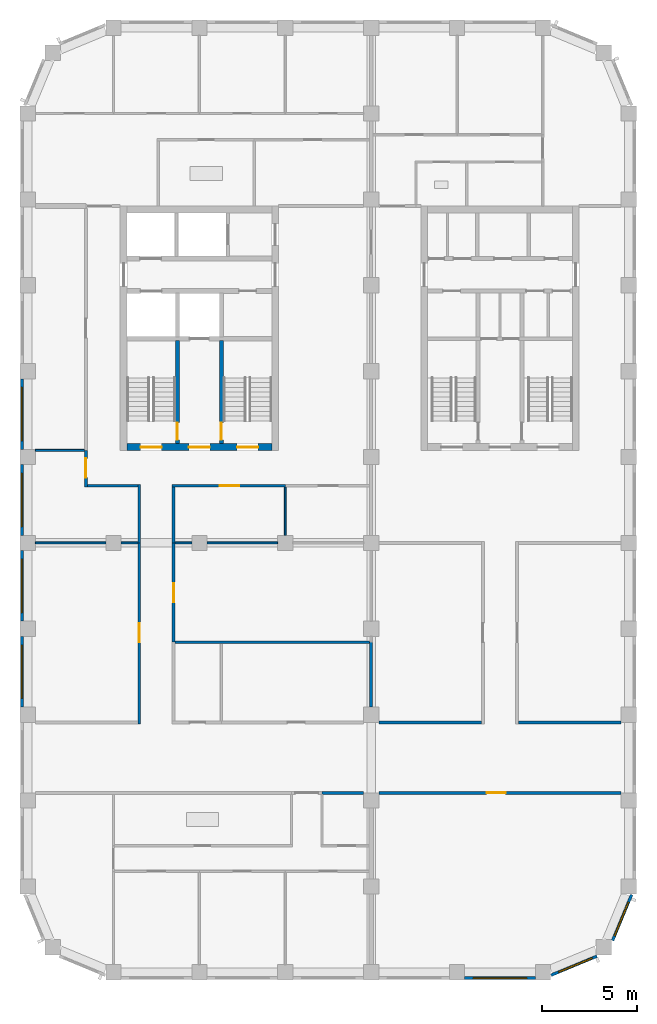
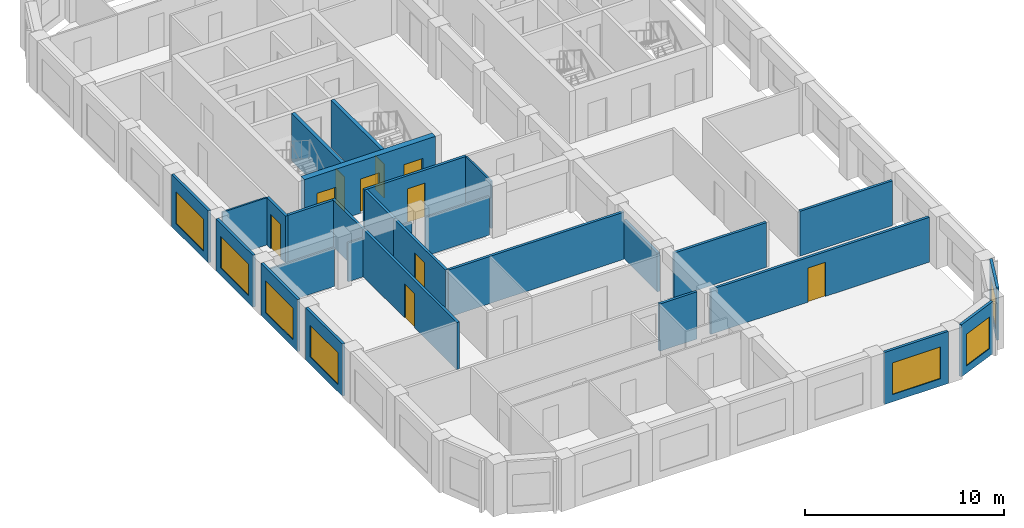
# One storey, part 3 of 9: 29 walls, 10 doors, 7 windows, 17 openings.
"""IFC4 building model written with IfcOpenShell, lengths in metres."""

from ifc_helpers import new_model, si_unit, direction, frame, frame_2d, origin, place, context, subcontext, project, spatial, rectangle, extrude, material, layer, layer_set, type_object, element, fill, save


model = new_model("IFC4")

# Units and contexts
model_context = context("Model", 3, precision=1e-05, world=origin(), true_north=direction((0.0, 1.0)))
body_context = subcontext(model_context, "Body", "Model", "MODEL_VIEW")
ifc_project = project(units=[si_unit("LENGTHUNIT", "METRE"), si_unit("AREAUNIT", "SQUARE_METRE"), si_unit("VOLUMEUNIT", "CUBIC_METRE"), si_unit("PLANEANGLEUNIT", "RADIAN"), si_unit("MASSUNIT", "GRAM", prefix="KILO")], contexts=[model_context])

# Site, building, storey
site_placement = place(None, origin())
site = spatial("IfcSite", under=ifc_project, at=site_placement, CompositionType="ELEMENT")
building_placement = place(site_placement, origin())
building = spatial("IfcBuilding", under=site, at=building_placement, Name="Girih Gate Residences", CompositionType="ELEMENT")
storey_placement = place(building_placement, frame((0.0, 0.0, 182.699951171875)))
storey = spatial("IfcBuildingStorey", under=building, at=storey_placement, Name="L50", CompositionType="ELEMENT", Elevation=182.699951171875)

# Wall
ifc_material_1 = material(Name="Gypsum board on steel studs", Category="steel")
ifc_layer_1 = layer(ifc_material_1, 0.14990234375)
ifc_layer_set_1 = layer_set([ifc_layer_1], Name="Compartment wall 150 mm")
wall_type_1 = type_object("IfcWallType", Name="Compartment wall 150 mm", PredefinedType="PARTITIONING", material=ifc_layer_set_1)
wall_1_placement = place(storey_placement, frame((15.425048828125, 9.39990234375, 0.0), z_axis=(0.0, 0.0, 1.0), x_axis=(1.0, 0.0, 0.0)))
element("IfcWall", 1, at=wall_1_placement, inside=storey, type_object=wall_type_1, Name="L50 partition", PredefinedType="PARTITIONING", context=body_context, shape_type="SweptSolid", body=[
    extrude(rectangle(XDim=2.175048828125, YDim=0.14990234375, at=frame_2d((1.08740234375, 0.0))), origin(), (0.0, 0.0, 1.0), 2.900146484375),
])

# Wall, opening, door
wall_2_placement = place(storey_placement, frame((7.64990234375, 22.5, 0.0), z_axis=(0.0, 0.0, 1.0), x_axis=(0.0, -1.0, 0.0)))
wall_2 = element("IfcWall", 2, at=wall_2_placement, inside=storey, type_object=wall_type_1, Name="L50 partition", PredefinedType="PARTITIONING", context=body_context, shape_type="SweptSolid", body=[
    extrude(rectangle(XDim=5.199951171875, YDim=0.14990234375, at=frame_2d((2.60009765625, 0.0))), origin(), (0.0, 0.0, 1.0), 2.900146484375),
])
opening_1_placement = place(wall_2_placement, frame((2.10009765625, 0.0, 0.0)))
opening_1 = element("IfcOpeningElement", 3, at=opening_1_placement, cuts=wall_2, Name="Opening A50-021", PredefinedType="OPENING", context=body_context, shape_type="SweptSolid", body=[
    extrude(rectangle(XDim=1.0, YDim=2.10009765625, at=frame_2d((0.5, 1.050048828125))), frame((0.0, 0.0849609375, 0.0), z_axis=(0.0, -1.0, 0.0), x_axis=(1.0, 0.0, 0.0)), (0.0, 0.0, 1.0), 0.169921875),
])
ifc_material_2 = material(Name="Timber, fire-rated core", Category="wood")
door_type_1 = type_object("IfcDoorType", Name="Amenity room door 1000x2100 FD30S", OperationType="NOTDEFINED", PredefinedType="DOOR", material=ifc_material_2)
door_1_placement = place(opening_1_placement, origin())
door_1 = element("IfcDoor", 4, at=door_1_placement, inside=storey, type_object=door_type_1, Name="Door A50-021", OperationType="SINGLE_SWING_RIGHT", OverallHeight=2.10009765625, OverallWidth=1.0, PredefinedType="DOOR", context=body_context, shape_type="SweptSolid", body=[
    extrude(rectangle(XDim=1.0, YDim=2.10009765625, at=frame_2d((0.5, 1.050048828125))), frame((0.0, 0.02490234375, 0.0), z_axis=(0.0, -1.0, 0.0), x_axis=(1.0, 0.0, 0.0)), (0.0, 0.0, 1.0), 0.050048828125),
])
fill(opening_1, door_1)

# Wall
wall_3_placement = place(storey_placement, frame((7.72509765625, 17.300048828125, 0.0), z_axis=(0.0, 0.0, 1.0), x_axis=(1.0, 0.0, 0.0)))
element("IfcWall", 5, at=wall_3_placement, inside=storey, type_object=wall_type_1, Name="L50 partition", PredefinedType="PARTITIONING", context=body_context, shape_type="SweptSolid", body=[
    extrude(rectangle(XDim=10.199951171875, YDim=0.14990234375, at=frame_2d((5.10009765625, 0.0))), origin(), (0.0, 0.0, 1.0), 2.900146484375),
])

# Wall, opening, door
wall_4_placement = place(storey_placement, frame((31.10009765625, 9.39990234375, 0.0), z_axis=(0.0, 0.0, 1.0), x_axis=(-1.0, 0.0, 0.0)))
wall_4 = element("IfcWall", 6, at=wall_4_placement, inside=storey, type_object=wall_type_1, Name="L50 partition", PredefinedType="PARTITIONING", context=body_context, shape_type="SweptSolid", body=[
    extrude(rectangle(XDim=12.7001953125, YDim=0.14990234375, at=frame_2d((6.35009765625, 0.0))), origin(), (0.0, 0.0, 1.0), 2.75),
])
opening_2_placement = place(wall_4_placement, frame((6.050048828125, 0.0, 0.0)))
opening_2 = element("IfcOpeningElement", 7, at=opening_2_placement, cuts=wall_4, Name="Opening A50-023", PredefinedType="OPENING", context=body_context, shape_type="SweptSolid", body=[
    extrude(rectangle(XDim=1.0, YDim=2.10009765625, at=frame_2d((0.5, 1.050048828125))), frame((0.0, 0.0849609375, 0.0), z_axis=(0.0, -1.0, 0.0), x_axis=(1.0, 0.0, 0.0)), (0.0, 0.0, 1.0), 0.169921875),
])
door_2_placement = place(opening_2_placement, origin())
door_2 = element("IfcDoor", 8, at=door_2_placement, inside=storey, type_object=door_type_1, Name="Door A50-023", OperationType="SINGLE_SWING_RIGHT", OverallHeight=2.10009765625, OverallWidth=1.0, PredefinedType="DOOR", context=body_context, shape_type="SweptSolid", body=[
    extrude(rectangle(XDim=1.0, YDim=2.10009765625, at=frame_2d((0.5, 1.050048828125))), frame((0.0, 0.02490234375, 0.0), z_axis=(0.0, -1.0, 0.0), x_axis=(1.0, 0.0, 0.0)), (0.0, 0.0, 1.0), 0.050048828125),
])
fill(opening_2, door_2)

# Walls
for number, where, z_axis, x_axis, name in (
    (9, (18.39990234375, 13.10009765625, 0.0), (0.0, 0.0, 1.0), (1.0, 0.0, 0.0), "L50 partition"),
    (10, (25.72509765625, 13.10009765625, 0.0), (0.0, 0.0, 1.0), (1.0, 0.0, 0.0), "L50 partition"),
):
    element("IfcWall", number, at=place(storey_placement, frame(where, z_axis=z_axis, x_axis=x_axis)), inside=storey, type_object=wall_type_1, Name=name, PredefinedType="PARTITIONING", context=body_context, shape_type="SweptSolid", body=[
        extrude(rectangle(XDim=5.375, YDim=0.14990234375, at=frame_2d((2.6875, 0.0))), origin(), (0.0, 0.0, 1.0), 2.75),
    ])
wall_5_placement = place(storey_placement, frame((18.0, 13.89990234375, 0.0), z_axis=(0.0, 0.0, 1.0), x_axis=(0.0, 1.0, 0.0)))
element("IfcWall", 11, at=wall_5_placement, inside=storey, type_object=wall_type_1, Name="L50 partition", PredefinedType="PARTITIONING", context=body_context, shape_type="SweptSolid", body=[
    extrude(rectangle(XDim=3.400146484375, YDim=0.14990234375, at=frame_2d((1.7001953125, 0.0))), origin(), (0.0, 0.0, 1.0), 2.380126953125),
])
wall_6_placement = place(storey_placement, frame((5.85009765625, 22.5, 0.0), z_axis=(0.0, 0.0, 1.0), x_axis=(0.0, 1.0, 0.0)))
element("IfcWall", 12, at=wall_6_placement, inside=storey, type_object=wall_type_1, Name="L50 partition", PredefinedType="PARTITIONING", context=body_context, shape_type="SweptSolid", body=[
    extrude(rectangle(XDim=3.074951171875, YDim=0.14990234375, at=frame_2d((1.53759765625, 0.0))), origin(), (0.0, 0.0, 1.0), 2.900146484375),
])
wall_7_placement = place(storey_placement, frame((3.125, 25.5, 0.0), z_axis=(0.0, 0.0, 1.0), x_axis=(1.0, 0.0, 0.0)))
element("IfcWall", 13, at=wall_7_placement, inside=storey, type_object=wall_type_1, Name="L50 partition", PredefinedType="PARTITIONING", context=body_context, shape_type="SweptSolid", body=[
    extrude(rectangle(XDim=2.64990234375, YDim=0.14990234375, at=frame_2d((1.324951171875, 0.0))), origin(), (0.0, 0.0, 1.0), 2.900146484375),
])

# Wall, opening, door
wall_8_placement = place(storey_placement, frame((3.050048828125, 25.425048828125, 0.0), z_axis=(0.0, 0.0, 1.0), x_axis=(0.0, 1.0, 0.0)))
wall_8 = element("IfcWall", 14, at=wall_8_placement, inside=storey, type_object=wall_type_1, Name="L50 partition", PredefinedType="PARTITIONING", context=body_context, shape_type="SweptSolid", body=[
    extrude(rectangle(XDim=1.925048828125, YDim=0.14990234375, at=frame_2d((0.96240234375, 0.0))), origin(), (0.0, 0.0, 1.0), 2.900146484375),
])
opening_3_placement = place(wall_8_placement, frame((0.5, 0.0, 0.0)))
opening_3 = element("IfcOpeningElement", 15, at=opening_3_placement, cuts=wall_8, Name="Opening A50-028", PredefinedType="OPENING", context=body_context, shape_type="SweptSolid", body=[
    extrude(rectangle(XDim=1.0, YDim=2.10009765625, at=frame_2d((0.5, 1.050048828125))), frame((0.0, 0.0849609375, 0.0), z_axis=(0.0, -1.0, 0.0), x_axis=(1.0, 0.0, 0.0)), (0.0, 0.0, 1.0), 0.169921875),
])
door_3_placement = place(opening_3_placement, origin())
door_3 = element("IfcDoor", 16, at=door_3_placement, inside=storey, type_object=door_type_1, Name="Door A50-028", OperationType="SINGLE_SWING_RIGHT", OverallHeight=2.10009765625, OverallWidth=1.0, PredefinedType="DOOR", context=body_context, shape_type="SweptSolid", body=[
    extrude(rectangle(XDim=1.0, YDim=2.10009765625, at=frame_2d((0.5, 1.050048828125))), frame((0.0, 0.02490234375, 0.0), z_axis=(0.0, -1.0, 0.0), x_axis=(1.0, 0.0, 0.0)), (0.0, 0.0, 1.0), 0.050048828125),
])
fill(opening_3, door_3)

wall_9_placement = place(storey_placement, frame((13.5, 25.5, 0.0), z_axis=(0.0, 0.0, 1.0), x_axis=(-1.0, 0.0, 0.0)))
wall_9 = element("IfcWall", 17, at=wall_9_placement, inside=storey, type_object=wall_type_1, Name="L50 partition", PredefinedType="PARTITIONING", context=body_context, shape_type="SweptSolid", body=[
    extrude(rectangle(XDim=5.925048828125, YDim=0.14990234375, at=frame_2d((2.96240234375, 0.0))), origin(), (0.0, 0.0, 1.0), 2.900146484375),
])
opening_4_placement = place(wall_9_placement, frame((2.425048828125, 0.0, 0.0)))
opening_4 = element("IfcOpeningElement", 18, at=opening_4_placement, cuts=wall_9, Name="Opening A50-029", PredefinedType="OPENING", context=body_context, shape_type="SweptSolid", body=[
    extrude(rectangle(XDim=1.0, YDim=2.10009765625, at=frame_2d((0.5, 1.050048828125))), frame((0.0, 0.0849609375, 0.0), z_axis=(0.0, -1.0, 0.0), x_axis=(1.0, 0.0, 0.0)), (0.0, 0.0, 1.0), 0.169921875),
])
door_4_placement = place(opening_4_placement, origin())
door_4 = element("IfcDoor", 19, at=door_4_placement, inside=storey, type_object=door_type_1, Name="Door A50-029", OperationType="SINGLE_SWING_LEFT", OverallHeight=2.10009765625, OverallWidth=1.0, PredefinedType="DOOR", context=body_context, shape_type="SweptSolid", body=[
    extrude(rectangle(XDim=1.0, YDim=2.10009765625, at=frame_2d((0.5, 1.050048828125))), frame((0.0, 0.02490234375, 0.0), z_axis=(0.0, -1.0, 0.0), x_axis=(1.0, 0.0, 0.0)), (0.0, 0.0, 1.0), 0.050048828125),
])
fill(opening_4, door_4)

# Wall
wall_10_placement = place(storey_placement, frame((7.64990234375, 22.5, 0.0), z_axis=(0.0, 0.0, 1.0), x_axis=(0.0, 1.0, 0.0)))
element("IfcWall", 20, at=wall_10_placement, inside=storey, type_object=wall_type_1, Name="L50 partition", PredefinedType="PARTITIONING", context=body_context, shape_type="SweptSolid", body=[
    extrude(rectangle(XDim=2.925048828125, YDim=0.14990234375, at=frame_2d((1.46240234375, 0.0))), origin(), (0.0, 0.0, 1.0), 2.900146484375),
])

# Wall, opening, door
wall_11_placement = place(storey_placement, frame((5.85009765625, 13.02490234375, 0.0), z_axis=(0.0, 0.0, 1.0), x_axis=(0.0, 1.0, 0.0)))
wall_11 = element("IfcWall", 21, at=wall_11_placement, inside=storey, type_object=wall_type_1, Name="L50 partition", PredefinedType="PARTITIONING", context=body_context, shape_type="SweptSolid", body=[
    extrude(rectangle(XDim=9.47509765625, YDim=0.14990234375, at=frame_2d((4.737548828125, 0.0))), origin(), (0.0, 0.0, 1.0), 2.900146484375),
])
opening_5_placement = place(wall_11_placement, frame((4.27490234375, 0.0, 0.0)))
opening_5 = element("IfcOpeningElement", 22, at=opening_5_placement, cuts=wall_11, Name="Opening A50-032", PredefinedType="OPENING", context=body_context, shape_type="SweptSolid", body=[
    extrude(rectangle(XDim=1.0, YDim=2.10009765625, at=frame_2d((0.5, 1.050048828125))), frame((0.0, 0.0849609375, 0.0), z_axis=(0.0, -1.0, 0.0), x_axis=(1.0, 0.0, 0.0)), (0.0, 0.0, 1.0), 0.169921875),
])
door_5_placement = place(opening_5_placement, origin())
door_5 = element("IfcDoor", 23, at=door_5_placement, inside=storey, type_object=door_type_1, Name="Door A50-032", OperationType="SINGLE_SWING_RIGHT", OverallHeight=2.10009765625, OverallWidth=1.0, PredefinedType="DOOR", context=body_context, shape_type="SweptSolid", body=[
    extrude(rectangle(XDim=1.0, YDim=2.10009765625, at=frame_2d((0.5, 1.050048828125))), frame((0.0, 0.02490234375, 0.0), z_axis=(0.0, -1.0, 0.0), x_axis=(1.0, 0.0, 0.0)), (0.0, 0.0, 1.0), 0.050048828125),
])
fill(opening_5, door_5)

# Wall, openings, doors
ifc_material_3 = material(Name="Concrete C60/75", Category="concrete")
ifc_layer_2 = layer(ifc_material_3, 0.35009765625)
ifc_layer_set_2 = layer_set([ifc_layer_2], Name="Core wall RC 350 Concrete C60/75")
wall_type_2 = type_object("IfcWallType", Name="Core wall RC 350 Concrete C60/75", PredefinedType="SOLIDWALL", material=ifc_layer_set_2)
wall_12_placement = place(storey_placement, frame((5.199951171875, 27.52490234375, 0.0), z_axis=(0.0, 0.0, 1.0), x_axis=(1.0, 0.0, 0.0)))
wall_12 = element("IfcWall", 24, at=wall_12_placement, inside=storey, type_object=wall_type_2, Name="Core wall W-S L50", PredefinedType="SOLIDWALL", context=body_context, shape_type="SweptSolid", body=[
    extrude(rectangle(XDim=7.60009765625, YDim=0.35009765625, at=frame_2d((3.800048828125, 0.0))), origin(), (0.0, 0.0, 1.0), 3.199951171875),
])
opening_6_placement = place(wall_12_placement, frame((0.72509765625, 0.0, 0.0)))
opening_6 = element("IfcOpeningElement", 25, at=opening_6_placement, cuts=wall_12, Name="Opening D-L50-W-008", PredefinedType="OPENING", context=body_context, shape_type="SweptSolid", body=[
    extrude(rectangle(XDim=1.10009765625, YDim=2.10009765625, at=frame_2d((0.550048828125, 1.050048828125))), frame((0.0, 0.18505859375, 0.0), z_axis=(0.0, -1.0, 0.0), x_axis=(1.0, 0.0, 0.0)), (0.0, 0.0, 1.0), 0.3701171875),
])
opening_7_placement = place(wall_12_placement, frame((3.25, 0.0, 0.0)))
opening_7 = element("IfcOpeningElement", 26, at=opening_7_placement, cuts=wall_12, Name="Opening D-L50-W-009", PredefinedType="OPENING", context=body_context, shape_type="SweptSolid", body=[
    extrude(rectangle(XDim=1.10009765625, YDim=2.10009765625, at=frame_2d((0.550048828125, 1.050048828125))), frame((0.0, 0.18505859375, 0.0), z_axis=(0.0, -1.0, 0.0), x_axis=(1.0, 0.0, 0.0)), (0.0, 0.0, 1.0), 0.3701171875),
])
opening_8_placement = place(wall_12_placement, frame((5.77490234375, 0.0, 0.0)))
opening_8 = element("IfcOpeningElement", 27, at=opening_8_placement, cuts=wall_12, Name="Opening D-L50-W-010", PredefinedType="OPENING", context=body_context, shape_type="SweptSolid", body=[
    extrude(rectangle(XDim=1.10009765625, YDim=2.10009765625, at=frame_2d((0.550048828125, 1.050048828125))), frame((0.0, 0.18505859375, 0.0), z_axis=(0.0, -1.0, 0.0), x_axis=(1.0, 0.0, 0.0)), (0.0, 0.0, 1.0), 0.3701171875),
])
ifc_material_4 = material(Name="Painted steel, fire-resisting", Category="steel")
door_type_2 = type_object("IfcDoorType", Name="Fire door 1100x2100", OperationType="SINGLE_SWING_LEFT", PredefinedType="DOOR", material=ifc_material_4)
door_6_placement = place(opening_6_placement, origin())
door_6 = element("IfcDoor", 28, at=door_6_placement, inside=storey, type_object=door_type_2, Name="L50 W core door sta-out", OperationType="SINGLE_SWING_LEFT", OverallHeight=2.10009765625, OverallWidth=1.10009765625, PredefinedType="DOOR", context=body_context, shape_type="SweptSolid", body=[
    extrude(rectangle(XDim=1.10009765625, YDim=2.10009765625, at=frame_2d((0.550048828125, 1.050048828125))), frame((0.0, 0.02490234375, 0.0), z_axis=(0.0, -1.0, 0.0), x_axis=(1.0, 0.0, 0.0)), (0.0, 0.0, 1.0), 0.050048828125),
])
fill(opening_6, door_6)
door_7_placement = place(opening_7_placement, origin())
door_7 = element("IfcDoor", 29, at=door_7_placement, inside=storey, type_object=door_type_2, Name="L50 W core door ffl-out", OperationType="SINGLE_SWING_LEFT", OverallHeight=2.10009765625, OverallWidth=1.10009765625, PredefinedType="DOOR", context=body_context, shape_type="SweptSolid", body=[
    extrude(rectangle(XDim=1.10009765625, YDim=2.10009765625, at=frame_2d((0.550048828125, 1.050048828125))), frame((0.0, 0.02490234375, 0.0), z_axis=(0.0, -1.0, 0.0), x_axis=(1.0, 0.0, 0.0)), (0.0, 0.0, 1.0), 0.050048828125),
])
fill(opening_7, door_7)
door_8_placement = place(opening_8_placement, origin())
door_8 = element("IfcDoor", 30, at=door_8_placement, inside=storey, type_object=door_type_2, Name="L50 W core door stb-out", OperationType="SINGLE_SWING_LEFT", OverallHeight=2.10009765625, OverallWidth=1.10009765625, PredefinedType="DOOR", context=body_context, shape_type="SweptSolid", body=[
    extrude(rectangle(XDim=1.10009765625, YDim=2.10009765625, at=frame_2d((0.550048828125, 1.050048828125))), frame((0.0, 0.02490234375, 0.0), z_axis=(0.0, -1.0, 0.0), x_axis=(1.0, 0.0, 0.0)), (0.0, 0.0, 1.0), 0.050048828125),
])
fill(opening_8, door_8)

# Walls
ifc_layer_3 = layer(ifc_material_1, 0.10009765625)
ifc_layer_set_3 = layer_set([ifc_layer_3], Name="Partition 100 mm")
wall_type_3 = type_object("IfcWallType", Name="Partition 100 mm", PredefinedType="PARTITIONING", material=ifc_layer_set_3)
wall_13_placement = place(storey_placement, frame((7.72509765625, 22.5, 0.0), z_axis=(0.0, 0.0, 1.0), x_axis=(1.0, 0.0, 0.0)))
element("IfcWall", 31, at=wall_13_placement, inside=storey, type_object=wall_type_3, Name="L50 partition", PredefinedType="PARTITIONING", context=body_context, shape_type="SweptSolid", body=[
    extrude(rectangle(XDim=0.875, YDim=0.10009765625, at=frame_2d((0.4375, 0.0))), origin(), (0.0, 0.0, 1.0), 2.380126953125),
])
wall_14_placement = place(storey_placement, frame((9.39990234375, 22.5, 0.0), z_axis=(0.0, 0.0, 1.0), x_axis=(1.0, 0.0, 0.0)))
element("IfcWall", 32, at=wall_14_placement, inside=storey, type_object=wall_type_3, Name="L50 partition", PredefinedType="PARTITIONING", context=body_context, shape_type="SweptSolid", body=[
    extrude(rectangle(XDim=3.7001953125, YDim=0.10009765625, at=frame_2d((1.85009765625, 0.0))), origin(), (0.0, 0.0, 1.0), 2.380126953125),
])
wall_15_placement = place(storey_placement, frame((0.39990234375, 27.35009765625, 0.0), z_axis=(0.0, 0.0, 1.0), x_axis=(1.0, 0.0, 0.0)))
element("IfcWall", 33, at=wall_15_placement, inside=storey, type_object=wall_type_3, Name="L50 partition", PredefinedType="PARTITIONING", context=body_context, shape_type="SweptSolid", body=[
    extrude(rectangle(XDim=2.5751953125, YDim=0.10009765625, at=frame_2d((1.28759765625, 0.0))), origin(), (0.0, 0.0, 1.0), 2.900146484375),
])
wall_16_placement = place(storey_placement, frame((4.89990234375, 22.5, 0.0), z_axis=(0.0, 0.0, 1.0), x_axis=(1.0, 0.0, 0.0)))
element("IfcWall", 34, at=wall_16_placement, inside=storey, type_object=wall_type_3, Name="L50 partition", PredefinedType="PARTITIONING", context=body_context, shape_type="SweptSolid", body=[
    extrude(rectangle(XDim=0.875, YDim=0.10009765625, at=frame_2d((0.4375, 0.0))), origin(), (0.0, 0.0, 1.0), 2.380126953125),
])
wall_17_placement = place(storey_placement, frame((0.39990234375, 22.5, 0.0), z_axis=(0.0, 0.0, 1.0), x_axis=(1.0, 0.0, 0.0)))
element("IfcWall", 35, at=wall_17_placement, inside=storey, type_object=wall_type_3, Name="L50 partition", PredefinedType="PARTITIONING", context=body_context, shape_type="SweptSolid", body=[
    extrude(rectangle(XDim=3.7001953125, YDim=0.10009765625, at=frame_2d((1.85009765625, 0.0))), origin(), (0.0, 0.0, 1.0), 2.380126953125),
])
wall_18_placement = place(storey_placement, frame((13.5, 22.89990234375, 0.0), z_axis=(0.0, 0.0, 1.0), x_axis=(0.0, 1.0, 0.0)))
element("IfcWall", 36, at=wall_18_placement, inside=storey, type_object=wall_type_3, Name="L50 partition", PredefinedType="PARTITIONING", context=body_context, shape_type="SweptSolid", body=[
    extrude(rectangle(XDim=2.525146484375, YDim=0.10009765625, at=frame_2d((1.2626953125, 0.0))), origin(), (0.0, 0.0, 1.0), 2.900146484375),
])

# Wall, opening, window
ifc_material_5 = material(Name="Precast concrete C50/60", Category="concrete")
ifc_layer_4 = layer(ifc_material_5, 0.050048828125, Name="Outer leaf")
ifc_material_6 = material(Name="Rigid PIR insulation")
ifc_layer_5 = layer(ifc_material_6, 0.06005859375, Name="Insulation")
ifc_material_7 = material(Name="Precast concrete C40/50", Category="concrete")
ifc_layer_6 = layer(ifc_material_7, 0.0400390625, Name="Inner leaf")
ifc_layer_set_4 = layer_set([ifc_layer_4, ifc_layer_5, ifc_layer_6], Name="Precast concrete C50/60 external wall 150")
wall_type_4 = type_object("IfcWallType", Name="Precast concrete C50/60 external wall 150", PredefinedType="SOLIDWALL", material=ifc_layer_set_4)
wall_19_placement = place(storey_placement, frame((29.8330078125, 0.8486328125, 0.0), z_axis=(0.0, 0.0, 1.0), x_axis=(-0.923885342263, -0.382669406082, 0.0)))
wall_19 = element("IfcWall", 37, at=wall_19_placement, inside=storey, type_object=wall_type_4, Name="External wall SE0270_0000.0", PredefinedType="SOLIDWALL", context=body_context, shape_type="SweptSolid", body=[
    extrude(rectangle(XDim=2.602294921875, YDim=0.14990234375, at=frame_2d((1.30126953125, 0.0))), origin(), (0.0, 0.0, 1.0), 3.199951171875),
])
opening_9_placement = place(wall_19_placement, frame((0.27001953125, 0.0, 0.449951171875)))
opening_9 = element("IfcOpeningElement", 38, at=opening_9_placement, cuts=wall_19, Name="Opening W-2G", PredefinedType="OPENING", context=body_context, shape_type="SweptSolid", body=[
    extrude(rectangle(XDim=1.89990234375, YDim=1.949951171875, at=frame_2d((0.949951171875, 0.97509765625))), frame((0.0, 0.0849609375, 0.0), z_axis=(0.0, -1.0, 0.0), x_axis=(1.0, 0.0, 0.0)), (0.0, 0.0, 1.0), 0.169921875),
])
ifc_material_8 = material(Name="Double glazing in aluminium frame", Category="aluminium")
window_type_1 = type_object("IfcWindowType", Name="Window W-2G 1900x1950", PartitioningType="SINGLE_PANEL", PredefinedType="WINDOW", material=ifc_material_8)
window_1_placement = place(opening_9_placement, origin())
window_1 = element("IfcWindow", 39, at=window_1_placement, inside=storey, type_object=window_type_1, Name="Window W-2G SE0270_0000.0", OverallHeight=1.949951171875, OverallWidth=1.89990234375, PartitioningType="SINGLE_PANEL", PredefinedType="WINDOW", context=body_context, shape_type="SweptSolid", body=[
    extrude(rectangle(XDim=1.89990234375, YDim=1.949951171875, at=frame_2d((0.949951171875, 0.97509765625))), frame((0.0, 0.030029296875, 0.0), z_axis=(0.0, -1.0, 0.0), x_axis=(1.0, 0.0, 0.0)), (0.0, 0.0, 1.0), 0.06005859375),
])
fill(opening_9, window_1)

wall_20_placement = place(storey_placement, frame((31.647216796875, 4.0712890625, 0.0), z_axis=(0.0, 0.0, 1.0), x_axis=(-0.382669406082, -0.923885342263, 0.0)))
wall_20 = element("IfcWall", 40, at=wall_20_placement, inside=storey, type_object=wall_type_4, Name="External wall SE0302_0013.0", PredefinedType="SOLIDWALL", context=body_context, shape_type="SweptSolid", body=[
    extrude(rectangle(XDim=2.602294921875, YDim=0.14990234375, at=frame_2d((1.30126953125, 0.0))), origin(), (0.0, 0.0, 1.0), 3.199951171875),
])
opening_10_placement = place(wall_20_placement, frame((0.432373046875, 0.0, 0.449951171875)))
opening_10 = element("IfcOpeningElement", 41, at=opening_10_placement, cuts=wall_20, Name="Opening W-2G", PredefinedType="OPENING", context=body_context, shape_type="SweptSolid", body=[
    extrude(rectangle(XDim=1.89990234375, YDim=1.949951171875, at=frame_2d((0.949951171875, 0.97509765625))), frame((0.0, 0.0849609375, 0.0), z_axis=(0.0, -1.0, 0.0), x_axis=(1.0, 0.0, 0.0)), (0.0, 0.0, 1.0), 0.169921875),
])
window_2_placement = place(opening_10_placement, origin())
window_2 = element("IfcWindow", 42, at=window_2_placement, inside=storey, type_object=window_type_1, Name="Window W-2G SE0302_0013.0", OverallHeight=1.949951171875, OverallWidth=1.89990234375, PartitioningType="SINGLE_PANEL", PredefinedType="WINDOW", context=body_context, shape_type="SweptSolid", body=[
    extrude(rectangle(XDim=1.89990234375, YDim=1.949951171875, at=frame_2d((0.949951171875, 0.97509765625))), frame((0.0, 0.030029296875, 0.0), z_axis=(0.0, -1.0, 0.0), x_axis=(1.0, 0.0, 0.0)), (0.0, 0.0, 1.0), 0.06005859375),
])
fill(opening_10, window_2)

wall_21_placement = place(storey_placement, frame((-0.300048828125, 27.39990234375, 0.0), z_axis=(0.0, 0.0, 1.0), x_axis=(0.0, 1.0, 0.0)))
wall_21 = element("IfcWall", 43, at=wall_21_placement, inside=storey, type_object=wall_type_4, Name="External wall W0000_0450.3", PredefinedType="SOLIDWALL", context=body_context, shape_type="SweptSolid", body=[
    extrude(rectangle(XDim=3.7001953125, YDim=0.14990234375, at=frame_2d((1.85009765625, 0.0))), origin(), (0.0, 0.0, 1.0), 3.199951171875),
])
opening_11_placement = place(wall_21_placement, frame((0.449951171875, 0.0, 0.449951171875)))
opening_11 = element("IfcOpeningElement", 44, at=opening_11_placement, cuts=wall_21, Name="Opening W-1B", PredefinedType="OPENING", context=body_context, shape_type="SweptSolid", body=[
    extrude(rectangle(XDim=2.800048828125, YDim=1.949951171875, at=frame_2d((1.39990234375, 0.97509765625))), frame((0.0, 0.0849609375, 0.0), z_axis=(0.0, -1.0, 0.0), x_axis=(1.0, 0.0, 0.0)), (0.0, 0.0, 1.0), 0.169921875),
])
window_type_2 = type_object("IfcWindowType", Name="Window W-1B 2800x1950", PartitioningType="SINGLE_PANEL", PredefinedType="WINDOW", material=ifc_material_8)
window_3_placement = place(opening_11_placement, origin())
window_3 = element("IfcWindow", 45, at=window_3_placement, inside=storey, type_object=window_type_2, Name="Window W-1B W0000_0450.3", OverallHeight=1.949951171875, OverallWidth=2.800048828125, PartitioningType="SINGLE_PANEL", PredefinedType="WINDOW", context=body_context, shape_type="SweptSolid", body=[
    extrude(rectangle(XDim=2.800048828125, YDim=1.949951171875, at=frame_2d((1.39990234375, 0.97509765625))), frame((0.0, 0.030029296875, 0.0), z_axis=(0.0, -1.0, 0.0), x_axis=(1.0, 0.0, 0.0)), (0.0, 0.0, 1.0), 0.06005859375),
])
fill(opening_11, window_3)

wall_22_placement = place(storey_placement, frame((-0.300048828125, 22.89990234375, 0.0), z_axis=(0.0, 0.0, 1.0), x_axis=(0.0, 1.0, 0.0)))
wall_22 = element("IfcWall", 46, at=wall_22_placement, inside=storey, type_object=wall_type_4, Name="External wall W0000_0450.4", PredefinedType="SOLIDWALL", context=body_context, shape_type="SweptSolid", body=[
    extrude(rectangle(XDim=3.7001953125, YDim=0.14990234375, at=frame_2d((1.85009765625, 0.0))), origin(), (0.0, 0.0, 1.0), 3.199951171875),
])
opening_12_placement = place(wall_22_placement, frame((0.449951171875, 0.0, 0.449951171875)))
opening_12 = element("IfcOpeningElement", 47, at=opening_12_placement, cuts=wall_22, Name="Opening W-1B", PredefinedType="OPENING", context=body_context, shape_type="SweptSolid", body=[
    extrude(rectangle(XDim=2.800048828125, YDim=1.949951171875, at=frame_2d((1.39990234375, 0.97509765625))), frame((0.0, 0.0849609375, 0.0), z_axis=(0.0, -1.0, 0.0), x_axis=(1.0, 0.0, 0.0)), (0.0, 0.0, 1.0), 0.169921875),
])
window_4_placement = place(opening_12_placement, origin())
window_4 = element("IfcWindow", 48, at=window_4_placement, inside=storey, type_object=window_type_2, Name="Window W-1B W0000_0450.4", OverallHeight=1.949951171875, OverallWidth=2.800048828125, PartitioningType="SINGLE_PANEL", PredefinedType="WINDOW", context=body_context, shape_type="SweptSolid", body=[
    extrude(rectangle(XDim=2.800048828125, YDim=1.949951171875, at=frame_2d((1.39990234375, 0.97509765625))), frame((0.0, 0.030029296875, 0.0), z_axis=(0.0, -1.0, 0.0), x_axis=(1.0, 0.0, 0.0)), (0.0, 0.0, 1.0), 0.06005859375),
])
fill(opening_12, window_4)

wall_23_placement = place(storey_placement, frame((-0.300048828125, 18.39990234375, 0.0), z_axis=(0.0, 0.0, 1.0), x_axis=(0.0, 1.0, 0.0)))
wall_23 = element("IfcWall", 49, at=wall_23_placement, inside=storey, type_object=wall_type_4, Name="External wall W0000_0450.5", PredefinedType="SOLIDWALL", context=body_context, shape_type="SweptSolid", body=[
    extrude(rectangle(XDim=3.7001953125, YDim=0.14990234375, at=frame_2d((1.85009765625, 0.0))), origin(), (0.0, 0.0, 1.0), 3.199951171875),
])
opening_13_placement = place(wall_23_placement, frame((0.449951171875, 0.0, 0.449951171875)))
opening_13 = element("IfcOpeningElement", 50, at=opening_13_placement, cuts=wall_23, Name="Opening W-1B", PredefinedType="OPENING", context=body_context, shape_type="SweptSolid", body=[
    extrude(rectangle(XDim=2.800048828125, YDim=1.949951171875, at=frame_2d((1.39990234375, 0.97509765625))), frame((0.0, 0.0849609375, 0.0), z_axis=(0.0, -1.0, 0.0), x_axis=(1.0, 0.0, 0.0)), (0.0, 0.0, 1.0), 0.169921875),
])
window_5_placement = place(opening_13_placement, origin())
window_5 = element("IfcWindow", 51, at=window_5_placement, inside=storey, type_object=window_type_2, Name="Window W-1B W0000_0450.5", OverallHeight=1.949951171875, OverallWidth=2.800048828125, PartitioningType="SINGLE_PANEL", PredefinedType="WINDOW", context=body_context, shape_type="SweptSolid", body=[
    extrude(rectangle(XDim=2.800048828125, YDim=1.949951171875, at=frame_2d((1.39990234375, 0.97509765625))), frame((0.0, 0.030029296875, 0.0), z_axis=(0.0, -1.0, 0.0), x_axis=(1.0, 0.0, 0.0)), (0.0, 0.0, 1.0), 0.06005859375),
])
fill(opening_13, window_5)

wall_24_placement = place(storey_placement, frame((-0.300048828125, 13.89990234375, 0.0), z_axis=(0.0, 0.0, 1.0), x_axis=(0.0, 1.0, 0.0)))
wall_24 = element("IfcWall", 52, at=wall_24_placement, inside=storey, type_object=wall_type_4, Name="External wall W0000_0450.6", PredefinedType="SOLIDWALL", context=body_context, shape_type="SweptSolid", body=[
    extrude(rectangle(XDim=3.7001953125, YDim=0.14990234375, at=frame_2d((1.85009765625, 0.0))), origin(), (0.0, 0.0, 1.0), 3.199951171875),
])
opening_14_placement = place(wall_24_placement, frame((0.449951171875, 0.0, 0.449951171875)))
opening_14 = element("IfcOpeningElement", 53, at=opening_14_placement, cuts=wall_24, Name="Opening W-1B", PredefinedType="OPENING", context=body_context, shape_type="SweptSolid", body=[
    extrude(rectangle(XDim=2.800048828125, YDim=1.949951171875, at=frame_2d((1.39990234375, 0.97509765625))), frame((0.0, 0.0849609375, 0.0), z_axis=(0.0, -1.0, 0.0), x_axis=(1.0, 0.0, 0.0)), (0.0, 0.0, 1.0), 0.169921875),
])
window_6_placement = place(opening_14_placement, origin())
window_6 = element("IfcWindow", 54, at=window_6_placement, inside=storey, type_object=window_type_2, Name="Window W-1B W0000_0450.6", OverallHeight=1.949951171875, OverallWidth=2.800048828125, PartitioningType="SINGLE_PANEL", PredefinedType="WINDOW", context=body_context, shape_type="SweptSolid", body=[
    extrude(rectangle(XDim=2.800048828125, YDim=1.949951171875, at=frame_2d((1.39990234375, 0.97509765625))), frame((0.0, 0.030029296875, 0.0), z_axis=(0.0, -1.0, 0.0), x_axis=(1.0, 0.0, 0.0)), (0.0, 0.0, 1.0), 0.06005859375),
])
fill(opening_14, window_6)

wall_25_placement = place(storey_placement, frame((26.60009765625, -0.300048828125, 0.0), z_axis=(0.0, 0.0, 1.0), x_axis=(-1.0, 0.0, 0.0)))
wall_25 = element("IfcWall", 55, at=wall_25_placement, inside=storey, type_object=wall_type_4, Name="External wall S0045_0000.4", PredefinedType="SOLIDWALL", context=body_context, shape_type="SweptSolid", body=[
    extrude(rectangle(XDim=3.7001953125, YDim=0.14990234375, at=frame_2d((1.85009765625, 0.0))), origin(), (0.0, 0.0, 1.0), 3.199951171875),
])
opening_15_placement = place(wall_25_placement, frame((0.449951171875, 0.0, 0.449951171875)))
opening_15 = element("IfcOpeningElement", 56, at=opening_15_placement, cuts=wall_25, Name="Opening W-1B", PredefinedType="OPENING", context=body_context, shape_type="SweptSolid", body=[
    extrude(rectangle(XDim=2.800048828125, YDim=1.949951171875, at=frame_2d((1.39990234375, 0.97509765625))), frame((0.0, 0.0849609375, 0.0), z_axis=(0.0, -1.0, 0.0), x_axis=(1.0, 0.0, 0.0)), (0.0, 0.0, 1.0), 0.169921875),
])
window_7_placement = place(opening_15_placement, origin())
window_7 = element("IfcWindow", 57, at=window_7_placement, inside=storey, type_object=window_type_2, Name="Window W-1B S0045_0000.4", OverallHeight=1.949951171875, OverallWidth=2.800048828125, PartitioningType="SINGLE_PANEL", PredefinedType="WINDOW", context=body_context, shape_type="SweptSolid", body=[
    extrude(rectangle(XDim=2.800048828125, YDim=1.949951171875, at=frame_2d((1.39990234375, 0.97509765625))), frame((0.0, 0.030029296875, 0.0), z_axis=(0.0, -1.0, 0.0), x_axis=(1.0, 0.0, 0.0)), (0.0, 0.0, 1.0), 0.06005859375),
])
fill(opening_15, window_7)

# Wall, opening, door
ifc_material_9 = material(Name="Concrete C40/50", Category="concrete")
ifc_layer_7 = layer(ifc_material_9, 0.199951171875)
ifc_layer_set_5 = layer_set([ifc_layer_7], Name="Shaft wall 200")
wall_type_5 = type_object("IfcWallType", Name="Shaft wall 200", PredefinedType="SOLIDWALL", material=ifc_layer_set_5)
wall_26_placement = place(storey_placement, frame((7.85009765625, 27.699951171875, 0.0), z_axis=(0.0, 0.0, 1.0), x_axis=(0.0, 1.0, 0.0)))
wall_26 = element("IfcWall", 58, at=wall_26_placement, inside=storey, type_object=wall_type_5, Name="L50 W core wall V1a", PredefinedType="SOLIDWALL", context=body_context, shape_type="SweptSolid", body=[
    extrude(rectangle(XDim=5.400146484375, YDim=0.199951171875, at=frame_2d((2.7001953125, 0.0))), origin(), (0.0, 0.0, 1.0), 2.900146484375),
])
opening_16_placement = place(wall_26_placement, frame((0.199951171875, 0.0, 0.0)))
opening_16 = element("IfcOpeningElement", 59, at=opening_16_placement, cuts=wall_26, Name="Opening D-L50-W-001", PredefinedType="OPENING", context=body_context, shape_type="SweptSolid", body=[
    extrude(rectangle(XDim=0.89990234375, YDim=2.10009765625, at=frame_2d((0.449951171875, 1.050048828125))), frame((0.0, 0.10986328125, 0.0), z_axis=(0.0, -1.0, 0.0), x_axis=(1.0, 0.0, 0.0)), (0.0, 0.0, 1.0), 0.219970703125),
])
door_type_3 = type_object("IfcDoorType", Name="Fire door 900x2100", OperationType="SINGLE_SWING_LEFT", PredefinedType="DOOR", material=ifc_material_4)
door_9_placement = place(opening_16_placement, origin())
door_9 = element("IfcDoor", 60, at=door_9_placement, inside=storey, type_object=door_type_3, Name="L50 W door stair 1 to firefighting lobby", OperationType="SINGLE_SWING_LEFT", OverallHeight=2.10009765625, OverallWidth=0.89990234375, PredefinedType="DOOR", context=body_context, shape_type="SweptSolid", body=[
    extrude(rectangle(XDim=0.89990234375, YDim=2.10009765625, at=frame_2d((0.449951171875, 1.050048828125))), frame((0.0, 0.02490234375, 0.0), z_axis=(0.0, -1.0, 0.0), x_axis=(1.0, 0.0, 0.0)), (0.0, 0.0, 1.0), 0.050048828125),
])
fill(opening_16, door_9)

wall_27_placement = place(storey_placement, frame((10.14990234375, 27.699951171875, 0.0), z_axis=(0.0, 0.0, 1.0), x_axis=(0.0, 1.0, 0.0)))
wall_27 = element("IfcWall", 61, at=wall_27_placement, inside=storey, type_object=wall_type_5, Name="L50 W core wall V2a", PredefinedType="SOLIDWALL", context=body_context, shape_type="SweptSolid", body=[
    extrude(rectangle(XDim=5.400146484375, YDim=0.199951171875, at=frame_2d((2.7001953125, 0.0))), origin(), (0.0, 0.0, 1.0), 2.900146484375),
])
opening_17_placement = place(wall_27_placement, frame((0.199951171875, 0.0, 0.0)))
opening_17 = element("IfcOpeningElement", 62, at=opening_17_placement, cuts=wall_27, Name="Opening D-L50-W-002", PredefinedType="OPENING", context=body_context, shape_type="SweptSolid", body=[
    extrude(rectangle(XDim=0.89990234375, YDim=2.10009765625, at=frame_2d((0.449951171875, 1.050048828125))), frame((0.0, 0.10986328125, 0.0), z_axis=(0.0, -1.0, 0.0), x_axis=(1.0, 0.0, 0.0)), (0.0, 0.0, 1.0), 0.219970703125),
])
door_10_placement = place(opening_17_placement, origin())
door_10 = element("IfcDoor", 63, at=door_10_placement, inside=storey, type_object=door_type_3, Name="L50 W door stair 2 to firefighting lobby", OperationType="SINGLE_SWING_LEFT", OverallHeight=2.10009765625, OverallWidth=0.89990234375, PredefinedType="DOOR", context=body_context, shape_type="SweptSolid", body=[
    extrude(rectangle(XDim=0.89990234375, YDim=2.10009765625, at=frame_2d((0.449951171875, 1.050048828125))), frame((0.0, 0.02490234375, 0.0), z_axis=(0.0, -1.0, 0.0), x_axis=(1.0, 0.0, 0.0)), (0.0, 0.0, 1.0), 0.050048828125),
])
fill(opening_17, door_10)

save(model, "model.ifc")
